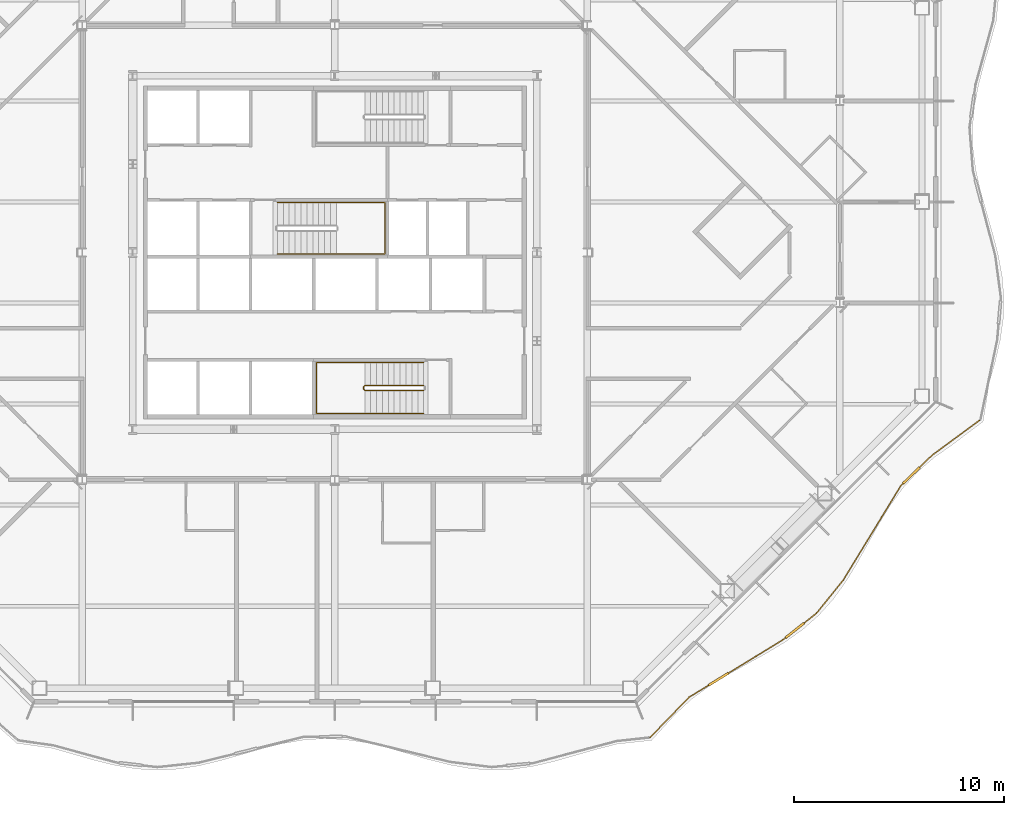
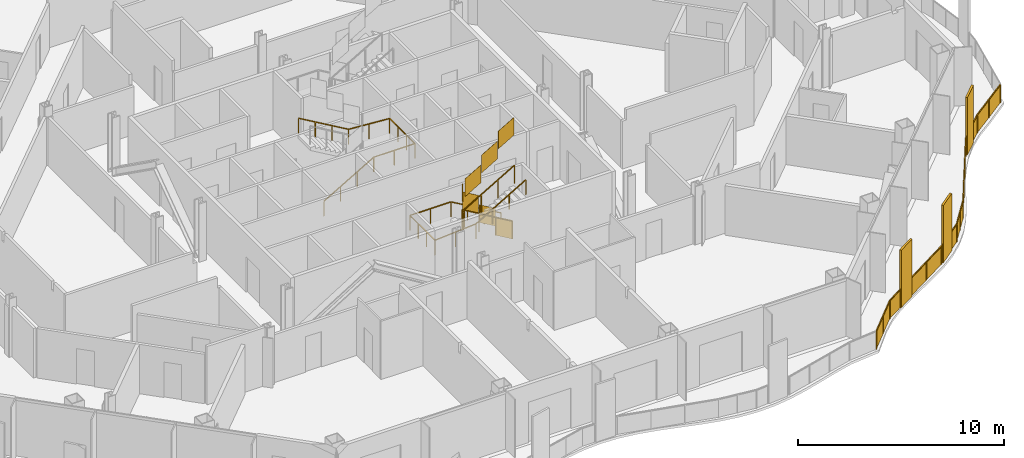
# One storey, part 17 of 21: 4 railings.
"""IFC4 building model written with IfcOpenShell, lengths in metres."""

from ifc_helpers import new_model, si_unit, direction, frame, origin, origin_2d, place, context, subcontext, project, spatial, polyline, rectangle, outline, extrude, material, type_object, element, save


model = new_model("IFC4")

# Units and contexts
model_context = context("Model", 3, precision=1e-05, world=origin(), true_north=direction((0.0, 1.0)))
body_context = subcontext(model_context, "Body", "Model", "MODEL_VIEW")
ifc_project = project(units=[si_unit("LENGTHUNIT", "METRE"), si_unit("AREAUNIT", "SQUARE_METRE"), si_unit("VOLUMEUNIT", "CUBIC_METRE"), si_unit("PLANEANGLEUNIT", "RADIAN"), si_unit("MASSUNIT", "GRAM", prefix="KILO")], contexts=[model_context])

# Site, building, storey
site_placement = place(None, origin())
site = spatial("IfcSite", under=ifc_project, at=site_placement, CompositionType="ELEMENT")
building_placement = place(site_placement, origin())
building = spatial("IfcBuilding", under=site, at=building_placement, Name="Cairn Pilgrim Tower", CompositionType="ELEMENT")
storey_placement = place(building_placement, frame((0.0, 0.0, 129.0)))
storey = spatial("IfcBuildingStorey", under=building, at=storey_placement, Name="L31", CompositionType="ELEMENT", Elevation=129.0)

# Railings
ifc_material_1 = material(Name="Bronze anodised aluminium rail, posts and fin screens with laminated glass infill", Category="aluminium")
railing_type_1 = type_object("IfcRailingType", Name="BALCONY GUARD WITH FIN SCREENS", PredefinedType="GUARDRAIL", material=ifc_material_1)
railing_1_placement = place(storey_placement, frame((22.18505859375, -20.638427734375, 0.0)))
element("IfcRailing", 1, at=railing_1_placement, inside=storey, type_object=railing_type_1, Name="Balcony guard BGF-2 with fin screens", PredefinedType="GUARDRAIL", context=body_context, shape_type="SweptSolid", body=[
    extrude(rectangle(XDim=0.050048828125, YDim=0.050048828125, at=origin_2d()), frame((0.0, 0.0, 1.0751953125), z_axis=(0.696086992853, 0.717957448866, 0.0), x_axis=(-0.717957448866, 0.696086992853, 0.0)), (0.0, 0.0, 1.0), 2.65673828125),
    extrude(rectangle(XDim=1.10009765625, YDim=0.110107421875, at=origin_2d()), frame((3.24853515625, 2.763916015625, 0.0), z_axis=(0.0, 0.0, 1.0), x_axis=(0.85289739895, 0.522078563881, 0.0)), (0.0, 0.0, 1.0), 3.39990234375),
    extrude(rectangle(XDim=0.050048828125, YDim=0.050048828125, at=origin_2d()), frame((1.849365234375, 1.907470703125, 1.0751953125), z_axis=(0.85289739895, 0.522078563881, 0.0), x_axis=(-0.522078563881, 0.85289739895, 0.0)), (0.0, 0.0, 1.0), 1.090576171875),
    extrude(rectangle(XDim=0.050048828125, YDim=0.050048828125, at=origin_2d()), frame((3.7177734375, 3.051025390625, 1.0751953125), z_axis=(0.85289739895, 0.522078563881, 0.0), x_axis=(-0.522078563881, 0.85289739895, 0.0)), (0.0, 0.0, 1.0), 3.0556640625),
    extrude(rectangle(XDim=1.10009765625, YDim=0.110107421875, at=origin_2d()), frame((6.87255859375, 5.08154296875, 0.0), z_axis=(0.0, 0.0, 1.0), x_axis=(0.78349767909, 0.621394711002, 0.0)), (0.0, 0.0, 1.0), 3.39990234375),
    extrude(rectangle(XDim=0.050048828125, YDim=0.050048828125, at=origin_2d()), frame((6.323974609375, 4.646484375, 1.0751953125), z_axis=(0.78349767909, 0.621394711002, 0.0), x_axis=(-0.621394711002, 0.78349767909, 0.0)), (0.0, 0.0, 1.0), 0.150146484375),
    extrude(rectangle(XDim=0.050048828125, YDim=0.050048828125, at=origin_2d()), frame((7.303466796875, 5.42333984375, 1.0751953125), z_axis=(0.78349767909, 0.621394711002, 0.0), x_axis=(-0.621394711002, 0.78349767909, 0.0)), (0.0, 0.0, 1.0), 0.774169921875),
    extrude(rectangle(XDim=0.050048828125, YDim=0.050048828125, at=origin_2d()), frame((7.909912109375, 5.904296875, 1.0751953125), z_axis=(0.627195269755, 0.778862050428, 0.0), x_axis=(-0.778862050428, 0.627195269755, 0.0)), (0.0, 0.0, 1.0), 2.021728515625),
    extrude(rectangle(XDim=0.050048828125, YDim=0.050048828125, at=origin_2d()), frame((9.177978515625, 7.47900390625, 1.0751953125), z_axis=(0.520783616855, 0.853688716345, 0.0), x_axis=(-0.853688716345, 0.520783616855, 0.0)), (0.0, 0.0, 1.0), 5.247314453125),
    extrude(rectangle(XDim=1.10009765625, YDim=0.110107421875, at=origin_2d()), frame((12.411865234375, 12.447509765625, 0.0), z_axis=(0.0, 0.0, 1.0), x_axis=(0.715797796367, 0.698307607517, 0.0)), (0.0, 0.0, 1.0), 3.39990234375),
    extrude(rectangle(XDim=0.050048828125, YDim=0.050048828125, at=origin_2d()), frame((11.91064453125, 11.95849609375, 1.0751953125), z_axis=(0.715797796367, 0.698307607517, 0.0), x_axis=(-0.698307607517, 0.715797796367, 0.0)), (0.0, 0.0, 1.0), 0.150146484375),
    extrude(rectangle(XDim=0.050048828125, YDim=0.050048828125, at=origin_2d()), frame((12.805419921875, 12.83154296875, 1.0751953125), z_axis=(0.715797796367, 0.698307607517, 0.0), x_axis=(-0.698307607517, 0.715797796367, 0.0)), (0.0, 0.0, 1.0), 0.815673828125),
    extrude(rectangle(XDim=0.050048828125, YDim=0.050048828125, at=origin_2d()), frame((13.389404296875, 13.401123046875, 1.0751953125), z_axis=(0.805314870367, 0.592847332427, 0.0), x_axis=(-0.592847332427, 0.805314870367, 0.0)), (0.0, 0.0, 1.0), 2.79443359375),
    extrude(rectangle(XDim=0.050048828125, YDim=0.050048828125, at=origin_2d()), origin(), (0.0, 0.0, 1.0), 1.050048828125),
    extrude(rectangle(XDim=0.050048828125, YDim=0.050048828125, at=origin_2d()), frame((0.9248046875, 0.95361328125, 0.0)), (0.0, 0.0, 1.0), 1.050048828125),
    extrude(rectangle(XDim=0.050048828125, YDim=0.050048828125, at=origin_2d()), frame((1.849365234375, 1.907470703125, 0.0)), (0.0, 0.0, 1.0), 1.050048828125),
    extrude(rectangle(XDim=0.050048828125, YDim=0.050048828125, at=origin_2d()), frame((2.75830078125, 2.4638671875, 0.0)), (0.0, 0.0, 1.0), 1.050048828125),
    extrude(rectangle(XDim=0.050048828125, YDim=0.050048828125, at=origin_2d()), frame((3.739013671875, 3.064208984375, 0.0)), (0.0, 0.0, 1.0), 1.050048828125),
    extrude(rectangle(XDim=0.050048828125, YDim=0.050048828125, at=origin_2d()), frame((5.031494140625, 3.855224609375, 0.0)), (0.0, 0.0, 1.0), 1.050048828125),
    extrude(rectangle(XDim=0.050048828125, YDim=0.050048828125, at=origin_2d()), frame((6.323974609375, 4.646484375, 0.0)), (0.0, 0.0, 1.0), 1.050048828125),
    extrude(rectangle(XDim=0.050048828125, YDim=0.050048828125, at=origin_2d()), frame((6.421875, 4.72412109375, 0.0)), (0.0, 0.0, 1.0), 1.050048828125),
    extrude(rectangle(XDim=0.050048828125, YDim=0.050048828125, at=origin_2d()), frame((7.322998046875, 5.438720703125, 0.0)), (0.0, 0.0, 1.0), 1.050048828125),
    extrude(rectangle(XDim=0.050048828125, YDim=0.050048828125, at=origin_2d()), frame((7.909912109375, 5.904296875, 0.0)), (0.0, 0.0, 1.0), 1.050048828125),
    extrude(rectangle(XDim=0.050048828125, YDim=0.050048828125, at=origin_2d()), frame((8.5439453125, 6.691650390625, 0.0)), (0.0, 0.0, 1.0), 1.050048828125),
    extrude(rectangle(XDim=0.050048828125, YDim=0.050048828125, at=origin_2d()), frame((9.177978515625, 7.47900390625, 0.0)), (0.0, 0.0, 1.0), 1.050048828125),
    extrude(rectangle(XDim=0.050048828125, YDim=0.050048828125, at=origin_2d()), frame((10.0888671875, 8.97216796875, 0.0)), (0.0, 0.0, 1.0), 1.050048828125),
    extrude(rectangle(XDim=0.050048828125, YDim=0.050048828125, at=origin_2d()), frame((10.999755859375, 10.46533203125, 0.0)), (0.0, 0.0, 1.0), 1.050048828125),
    extrude(rectangle(XDim=0.050048828125, YDim=0.050048828125, at=origin_2d()), frame((11.91064453125, 11.95849609375, 0.0)), (0.0, 0.0, 1.0), 1.050048828125),
    extrude(rectangle(XDim=0.050048828125, YDim=0.050048828125, at=origin_2d()), frame((12.000244140625, 12.0458984375, 0.0)), (0.0, 0.0, 1.0), 1.050048828125),
    extrude(rectangle(XDim=0.050048828125, YDim=0.050048828125, at=origin_2d()), frame((12.823486328125, 12.848876953125, 0.0)), (0.0, 0.0, 1.0), 1.050048828125),
    extrude(rectangle(XDim=0.050048828125, YDim=0.050048828125, at=origin_2d()), frame((13.389404296875, 13.401123046875, 0.0)), (0.0, 0.0, 1.0), 1.050048828125),
    extrude(rectangle(XDim=0.050048828125, YDim=0.050048828125, at=origin_2d()), frame((14.5146484375, 14.2294921875, 0.0)), (0.0, 0.0, 1.0), 1.050048828125),
    extrude(rectangle(XDim=0.050048828125, YDim=0.050048828125, at=origin_2d()), frame((15.639892578125, 15.057861328125, 0.0)), (0.0, 0.0, 1.0), 1.050048828125),
    extrude(outline(polyline([(0.02490234375, 0.0), (1.303466796875, 0.0), (1.303466796875, 1.050048828125), (0.02490234375, 1.050048828125), (0.02490234375, 0.0)])), frame((-0.00439453125, 0.004150390625, 0.0), z_axis=(0.717957448866, -0.696086992853, 0.0), x_axis=(0.696086992853, 0.717957448866, 0.0)), (0.0, 0.0, 1.0), 0.011962890625),
    extrude(outline(polyline([(0.02490234375, 0.0), (1.303466796875, 0.0), (1.303466796875, 1.050048828125), (0.02490234375, 1.050048828125), (0.02490234375, 0.0)])), frame((0.92041015625, 0.9580078125, 0.0), z_axis=(0.717957448866, -0.696086992853, 0.0), x_axis=(0.696086992853, 0.717957448866, 0.0)), (0.0, 0.0, 1.0), 0.011962890625),
    extrude(outline(polyline([(0.02490234375, 0.0), (1.04052734375, 0.0), (1.04052734375, 1.050048828125), (0.02490234375, 1.050048828125), (0.02490234375, 0.0)])), frame((1.84619140625, 1.91259765625, 0.0), z_axis=(0.522078563881, -0.85289739895, 0.0), x_axis=(0.85289739895, 0.522078563881, 0.0)), (0.0, 0.0, 1.0), 0.011962890625),
    extrude(outline(polyline([(0.02490234375, 0.0), (1.490234375, 0.0), (1.490234375, 1.050048828125), (0.02490234375, 1.050048828125), (0.02490234375, 0.0)])), frame((3.73583984375, 3.0693359375, 0.0), z_axis=(0.522078563881, -0.85289739895, 0.0), x_axis=(0.85289739895, 0.522078563881, 0.0)), (0.0, 0.0, 1.0), 0.011962890625),
    extrude(outline(polyline([(0.02490234375, 0.0), (1.490234375, 0.0), (1.490234375, 1.050048828125), (0.02490234375, 1.050048828125), (0.02490234375, 0.0)])), frame((5.0283203125, 3.8603515625, 0.0), z_axis=(0.522078563881, -0.85289739895, 0.0), x_axis=(0.85289739895, 0.522078563881, 0.0)), (0.0, 0.0, 1.0), 0.011962890625),
    extrude(outline(polyline([(0.02490234375, 0.0), (0.10009765625, 0.0), (0.10009765625, 1.050048828125), (0.02490234375, 1.050048828125), (0.02490234375, 0.0)])), frame((6.3203125, 4.651123046875, 0.0), z_axis=(0.621394711002, -0.78349767909, 0.0), x_axis=(0.78349767909, 0.621394711002, 0.0)), (0.0, 0.0, 1.0), 0.011962890625),
    extrude(outline(polyline([(0.02490234375, 0.0), (0.72412109375, 0.0), (0.72412109375, 1.050048828125), (0.02490234375, 1.050048828125), (0.02490234375, 0.0)])), frame((7.3193359375, 5.443603515625, 0.0), z_axis=(0.621394711002, -0.78349767909, 0.0), x_axis=(0.78349767909, 0.621394711002, 0.0)), (0.0, 0.0, 1.0), 0.011962890625),
    extrude(outline(polyline([(0.02490234375, 0.0), (0.98583984375, 0.0), (0.98583984375, 1.050048828125), (0.02490234375, 1.050048828125), (0.02490234375, 0.0)])), frame((7.9052734375, 5.907958984375, 0.0), z_axis=(0.778862050428, -0.627195269755, 0.0), x_axis=(0.627195269755, 0.778862050428, 0.0)), (0.0, 0.0, 1.0), 0.011962890625),
    extrude(outline(polyline([(0.02490234375, 0.0), (0.98583984375, 0.0), (0.98583984375, 1.050048828125), (0.02490234375, 1.050048828125), (0.02490234375, 0.0)])), frame((8.539306640625, 6.6953125, 0.0), z_axis=(0.778862050428, -0.627195269755, 0.0), x_axis=(0.627195269755, 0.778862050428, 0.0)), (0.0, 0.0, 1.0), 0.011962890625),
    extrude(outline(polyline([(0.02490234375, 0.0), (1.72412109375, 0.0), (1.72412109375, 1.050048828125), (0.02490234375, 1.050048828125), (0.02490234375, 0.0)])), frame((9.1728515625, 7.482177734375, 0.0), z_axis=(0.853688716345, -0.520783616855, 0.0), x_axis=(0.520783616855, 0.853688716345, 0.0)), (0.0, 0.0, 1.0), 0.011962890625),
    extrude(outline(polyline([(0.02490234375, 0.0), (1.72412109375, 0.0), (1.72412109375, 1.050048828125), (0.02490234375, 1.050048828125), (0.02490234375, 0.0)])), frame((10.083740234375, 8.975341796875, 0.0), z_axis=(0.853688716345, -0.520783616855, 0.0), x_axis=(0.520783616855, 0.853688716345, 0.0)), (0.0, 0.0, 1.0), 0.011962890625),
    extrude(outline(polyline([(0.02490234375, 0.0), (1.72412109375, 0.0), (1.72412109375, 1.050048828125), (0.02490234375, 1.050048828125), (0.02490234375, 0.0)])), frame((10.99462890625, 10.468505859375, 0.0), z_axis=(0.853688716345, -0.520783616855, 0.0), x_axis=(0.520783616855, 0.853688716345, 0.0)), (0.0, 0.0, 1.0), 0.011962890625),
    extrude(outline(polyline([(0.02490234375, 0.0), (0.10009765625, 0.0), (0.10009765625, 1.050048828125), (0.02490234375, 1.050048828125), (0.02490234375, 0.0)])), frame((11.906494140625, 11.962890625, 0.0), z_axis=(0.698307607517, -0.715797796367, 0.0), x_axis=(0.715797796367, 0.698307607517, 0.0)), (0.0, 0.0, 1.0), 0.011962890625),
    extrude(outline(polyline([(0.02490234375, 0.0), (0.765625, 0.0), (0.765625, 1.050048828125), (0.02490234375, 1.050048828125), (0.02490234375, 0.0)])), frame((12.8193359375, 12.853271484375, 0.0), z_axis=(0.698307607517, -0.715797796367, 0.0), x_axis=(0.715797796367, 0.698307607517, 0.0)), (0.0, 0.0, 1.0), 0.011962890625),
    extrude(outline(polyline([(0.02490234375, 0.0), (1.372314453125, 0.0), (1.372314453125, 1.050048828125), (0.02490234375, 1.050048828125), (0.02490234375, 0.0)])), frame((13.3857421875, 13.406005859375, 0.0), z_axis=(0.592847332427, -0.805314870367, 0.0), x_axis=(0.805314870367, 0.592847332427, 0.0)), (0.0, 0.0, 1.0), 0.011962890625),
    extrude(outline(polyline([(0.02490234375, 0.0), (1.372314453125, 0.0), (1.372314453125, 1.050048828125), (0.02490234375, 1.050048828125), (0.02490234375, 0.0)])), frame((14.510986328125, 14.234375, 0.0), z_axis=(0.592847332427, -0.805314870367, 0.0), x_axis=(0.805314870367, 0.592847332427, 0.0)), (0.0, 0.0, 1.0), 0.011962890625),
])
ifc_material_2 = material(Name="Painted steel", Category="steel")
railing_type_2 = type_object("IfcRailingType", Name="STAIR GUARD 1100", PredefinedType="GUARDRAIL", material=ifc_material_2)
railing_2_placement = place(storey_placement, frame((11.425048828125, -3.925048828125, 0.16357421875)))
element("IfcRailing", 2, at=railing_2_placement, inside=storey, type_object=railing_type_2, Name="L31 ST-A stair guard 1", PredefinedType="GUARDRAIL", context=body_context, shape_type="SweptSolid", body=[
    extrude(rectangle(XDim=0.048095703125, YDim=0.048095703125, at=origin_2d()), frame((0.0, 0.0, 1.076171875), z_axis=(-0.863360870873, 0.0, 0.504586966384), x_axis=(0.0, -1.0, 0.0)), (0.0, 0.0, 1.0), 3.2431640625),
    extrude(rectangle(XDim=0.048095703125, YDim=0.048095703125, at=origin_2d()), frame((-2.800048828125, 0.0, 2.71240234375), z_axis=(-0.707106781187, -0.707106781187, 0.0), x_axis=(0.707106781187, -0.707106781187, 0.0)), (0.0, 0.0, 1.0), 0.07080078125),
    extrude(rectangle(XDim=0.048095703125, YDim=0.048095703125, at=origin_2d()), frame((-2.85009765625, -0.050048828125, 2.71240234375), z_axis=(0.0, -1.0, 0.0), x_axis=(1.0, 0.0, 0.0)), (0.0, 0.0, 1.0), 0.125),
    extrude(rectangle(XDim=0.048095703125, YDim=0.048095703125, at=origin_2d()), frame((-2.85009765625, -0.175048828125, 2.71240234375), z_axis=(0.280916556609, -0.279546231943, 0.91811752648), x_axis=(0.705375805398, 0.708833529934, 0.0)), (0.0, 0.0, 1.0), 0.17822265625),
    extrude(rectangle(XDim=0.048095703125, YDim=0.048095703125, at=origin_2d()), frame((-2.800048828125, -0.224853515625, 2.8759765625), z_axis=(0.863360870873, 0.0, 0.504586966384), x_axis=(0.0, 1.0, 0.0)), (0.0, 0.0, 1.0), 3.2431640625),
    extrude(rectangle(XDim=0.0419921875, YDim=0.0419921875, at=origin_2d()), origin(), (0.0, 0.0, 1.0), 1.052001953125),
    extrude(rectangle(XDim=0.0419921875, YDim=0.0419921875, at=origin_2d()), frame((-0.933349609375, 0.0, 0.54541015625)), (0.0, 0.0, 1.0), 1.052001953125),
    extrude(rectangle(XDim=0.0419921875, YDim=0.0419921875, at=origin_2d()), frame((-1.86669921875, 0.0, 1.091064453125)), (0.0, 0.0, 1.0), 1.052001953125),
    extrude(rectangle(XDim=0.0419921875, YDim=0.0419921875, at=origin_2d()), frame((-2.800048828125, 0.0, 1.636474609375)), (0.0, 0.0, 1.0), 1.052001953125),
    extrude(rectangle(XDim=0.0419921875, YDim=0.0419921875, at=origin_2d()), frame((-2.85009765625, -0.050048828125, 1.636474609375)), (0.0, 0.0, 1.0), 1.052001953125),
    extrude(rectangle(XDim=0.0419921875, YDim=0.0419921875, at=origin_2d()), frame((-2.85009765625, -0.175048828125, 1.636474609375)), (0.0, 0.0, 1.0), 1.052001953125),
    extrude(rectangle(XDim=0.0419921875, YDim=0.0419921875, at=origin_2d()), frame((-2.800048828125, -0.224853515625, 1.800048828125)), (0.0, 0.0, 1.0), 1.052001953125),
    extrude(rectangle(XDim=0.0419921875, YDim=0.0419921875, at=origin_2d()), frame((-1.86669921875, -0.224853515625, 2.345458984375)), (0.0, 0.0, 1.0), 1.052001953125),
    extrude(rectangle(XDim=0.0419921875, YDim=0.0419921875, at=origin_2d()), frame((-0.933349609375, -0.224853515625, 2.89111328125)), (0.0, 0.0, 1.0), 1.052001953125),
    extrude(rectangle(XDim=0.0419921875, YDim=0.0419921875, at=origin_2d()), frame((0.0, -0.224853515625, 3.4365234375)), (0.0, 0.0, 1.0), 1.052001953125),
    extrude(outline(polyline([(0.02099609375, 0.01220703125), (0.912353515625, 0.533203125), (0.912353515625, 1.585205078125), (0.02099609375, 1.064208984375), (0.02099609375, 0.01220703125)])), frame((0.0, -0.005859375, 0.0), z_axis=(0.0, 1.0, 0.0), x_axis=(-1.0, 0.0, 0.0)), (0.0, 0.0, 1.0), 0.011962890625),
    extrude(outline(polyline([(0.02099609375, 0.557861328125), (0.912353515625, 1.07861328125), (0.912353515625, 2.130615234375), (0.02099609375, 1.60986328125), (0.02099609375, 0.557861328125)])), frame((-0.933349609375, -0.005859375, 0.54541015625), z_axis=(0.0, 1.0, 0.0), x_axis=(-1.0, 0.0, 0.0)), (0.0, 0.0, 1.0), 0.011962890625),
    extrude(outline(polyline([(0.02099609375, 1.103271484375), (0.912353515625, 1.624267578125), (0.912353515625, 2.67626953125), (0.02099609375, 2.1552734375), (0.02099609375, 1.103271484375)])), frame((-1.86669921875, -0.005859375, 1.091064453125), z_axis=(0.0, 1.0, 0.0), x_axis=(-1.0, 0.0, 0.0)), (0.0, 0.0, 1.0), 0.011962890625),
    extrude(outline(polyline([(0.02099609375, 1.636474609375), (0.10400390625, 1.636474609375), (0.10400390625, 2.6884765625), (0.02099609375, 2.6884765625), (0.02099609375, 1.636474609375)])), frame((-2.84423828125, -0.050048828125, 1.636474609375), z_axis=(-1.0, 0.0, 0.0), x_axis=(0.0, -1.0, 0.0)), (0.0, 0.0, 1.0), 0.011962890625),
    extrude(outline(polyline([(0.02099609375, 1.812255859375), (0.912353515625, 2.333251953125), (0.912353515625, 3.38525390625), (0.02099609375, 2.8642578125), (0.02099609375, 1.812255859375)])), frame((-2.800048828125, -0.21875, 1.800048828125), z_axis=(0.0, -1.0, 0.0), x_axis=(1.0, 0.0, 0.0)), (0.0, 0.0, 1.0), 0.011962890625),
    extrude(outline(polyline([(0.02099609375, 2.35791015625), (0.912353515625, 2.878662109375), (0.912353515625, 3.9306640625), (0.02099609375, 3.409912109375), (0.02099609375, 2.35791015625)])), frame((-1.86669921875, -0.21875, 2.345458984375), z_axis=(0.0, -1.0, 0.0), x_axis=(1.0, 0.0, 0.0)), (0.0, 0.0, 1.0), 0.011962890625),
    extrude(outline(polyline([(0.02099609375, 2.9033203125), (0.912353515625, 3.42431640625), (0.912353515625, 4.476318359375), (0.02099609375, 3.955322265625), (0.02099609375, 2.9033203125)])), frame((-0.933349609375, -0.21875, 2.89111328125), z_axis=(0.0, -1.0, 0.0), x_axis=(1.0, 0.0, 0.0)), (0.0, 0.0, 1.0), 0.011962890625),
])
railing_type_3 = type_object("IfcRailingType", Name="STAIR HANDRAIL 900", PredefinedType="HANDRAIL", material=ifc_material_2)
railing_3_placement = place(storey_placement, frame((11.425048828125, -2.824951171875, 0.16357421875)))
element("IfcRailing", 3, at=railing_3_placement, inside=storey, type_object=railing_type_3, Name="L31 ST-A stair handrail 1", PredefinedType="HANDRAIL", context=body_context, shape_type="SweptSolid", body=[
    extrude(rectangle(XDim=0.048095703125, YDim=0.048095703125, at=origin_2d()), frame((0.0, 0.0, 0.8759765625), z_axis=(-0.863360870873, 0.0, 0.504586966384), x_axis=(0.0, -1.0, 0.0)), (0.0, 0.0, 1.0), 3.2431640625),
    extrude(rectangle(XDim=0.048095703125, YDim=0.048095703125, at=origin_2d()), frame((-2.800048828125, 0.0, 2.51220703125), z_axis=(-1.0, 0.0, 0.0), x_axis=(0.0, -1.0, 0.0)), (0.0, 0.0, 1.0), 2.300048828125),
    extrude(rectangle(XDim=0.048095703125, YDim=0.048095703125, at=origin_2d()), frame((-5.10009765625, 0.0, 2.51220703125), z_axis=(0.0, -1.0, 0.0), x_axis=(1.0, 0.0, 0.0)), (0.0, 0.0, 1.0), 2.425048828125),
    extrude(rectangle(XDim=0.048095703125, YDim=0.048095703125, at=origin_2d()), frame((-5.10009765625, -2.425048828125, 2.51220703125), z_axis=(0.997480687736, 0.0, 0.070938548008), x_axis=(0.0, 1.0, 0.0)), (0.0, 0.0, 1.0), 2.305908203125),
    extrude(rectangle(XDim=0.048095703125, YDim=0.048095703125, at=origin_2d()), frame((-2.800048828125, -2.425048828125, 2.67578125), z_axis=(0.863360870873, 0.0, 0.504586966384), x_axis=(0.0, 1.0, 0.0)), (0.0, 0.0, 1.0), 3.2431640625),
    extrude(rectangle(XDim=0.0419921875, YDim=0.0419921875, at=origin_2d()), origin(), (0.0, 0.0, 1.0), 0.851806640625),
    extrude(rectangle(XDim=0.0419921875, YDim=0.0419921875, at=origin_2d()), frame((-0.933349609375, 0.0, 0.54541015625)), (0.0, 0.0, 1.0), 0.851806640625),
    extrude(rectangle(XDim=0.0419921875, YDim=0.0419921875, at=origin_2d()), frame((-1.86669921875, 0.0, 1.091064453125)), (0.0, 0.0, 1.0), 0.851806640625),
    extrude(rectangle(XDim=0.0419921875, YDim=0.0419921875, at=origin_2d()), frame((-2.800048828125, 0.0, 1.636474609375)), (0.0, 0.0, 1.0), 0.851806640625),
    extrude(rectangle(XDim=0.0419921875, YDim=0.0419921875, at=origin_2d()), frame((-3.9501953125, 0.0, 1.636474609375)), (0.0, 0.0, 1.0), 0.851806640625),
    extrude(rectangle(XDim=0.0419921875, YDim=0.0419921875, at=origin_2d()), frame((-5.10009765625, 0.0, 1.636474609375)), (0.0, 0.0, 1.0), 0.851806640625),
    extrude(rectangle(XDim=0.0419921875, YDim=0.0419921875, at=origin_2d()), frame((-5.10009765625, -0.808349609375, 1.636474609375)), (0.0, 0.0, 1.0), 0.851806640625),
    extrude(rectangle(XDim=0.0419921875, YDim=0.0419921875, at=origin_2d()), frame((-5.10009765625, -1.61669921875, 1.636474609375)), (0.0, 0.0, 1.0), 0.851806640625),
    extrude(rectangle(XDim=0.0419921875, YDim=0.0419921875, at=origin_2d()), frame((-5.10009765625, -2.425048828125, 1.636474609375)), (0.0, 0.0, 1.0), 0.851806640625),
    extrude(rectangle(XDim=0.0419921875, YDim=0.0419921875, at=origin_2d()), frame((-3.9501953125, -2.425048828125, 1.71826171875)), (0.0, 0.0, 1.0), 0.851806640625),
    extrude(rectangle(XDim=0.0419921875, YDim=0.0419921875, at=origin_2d()), frame((-2.800048828125, -2.425048828125, 1.800048828125)), (0.0, 0.0, 1.0), 0.851806640625),
    extrude(rectangle(XDim=0.0419921875, YDim=0.0419921875, at=origin_2d()), frame((-1.86669921875, -2.425048828125, 2.345458984375)), (0.0, 0.0, 1.0), 0.851806640625),
    extrude(rectangle(XDim=0.0419921875, YDim=0.0419921875, at=origin_2d()), frame((-0.933349609375, -2.425048828125, 2.89111328125)), (0.0, 0.0, 1.0), 0.851806640625),
    extrude(rectangle(XDim=0.0419921875, YDim=0.0419921875, at=origin_2d()), frame((0.0, -2.425048828125, 3.4365234375)), (0.0, 0.0, 1.0), 0.851806640625),
])
railing_4_placement = place(storey_placement, frame((4.47509765625, 2.324951171875, 0.16357421875)))
element("IfcRailing", 4, at=railing_4_placement, inside=storey, type_object=railing_type_3, Name="L31 ST-B stair handrail 1", PredefinedType="HANDRAIL", context=body_context, shape_type="SweptSolid", body=[
    extrude(rectangle(XDim=0.048095703125, YDim=0.048095703125, at=origin_2d()), frame((0.0, 0.0, 0.8759765625), z_axis=(0.863341702679, 0.0, 0.504619762213), x_axis=(0.0, 1.0, 0.0)), (0.0, 0.0, 1.0), 3.242919921875),
    extrude(rectangle(XDim=0.048095703125, YDim=0.048095703125, at=origin_2d()), frame((2.7998046875, 0.0, 2.51220703125), z_axis=(1.0, 0.0, 0.0), x_axis=(0.0, 1.0, 0.0)), (0.0, 0.0, 1.0), 2.300048828125),
    extrude(rectangle(XDim=0.048095703125, YDim=0.048095703125, at=origin_2d()), frame((5.099853515625, 0.0, 2.51220703125), z_axis=(0.0, 1.0, 0.0), x_axis=(-1.0, 0.0, 0.0)), (0.0, 0.0, 1.0), 2.449951171875),
    extrude(rectangle(XDim=0.048095703125, YDim=0.048095703125, at=origin_2d()), frame((5.099853515625, 2.449951171875, 2.51220703125), z_axis=(-0.997480687736, 0.0, 0.070938548008), x_axis=(0.0, -1.0, 0.0)), (0.0, 0.0, 1.0), 2.305908203125),
    extrude(rectangle(XDim=0.048095703125, YDim=0.048095703125, at=origin_2d()), frame((2.7998046875, 2.449951171875, 2.67578125), z_axis=(-0.863341702679, 0.0, 0.504619762213), x_axis=(0.0, -1.0, 0.0)), (0.0, 0.0, 1.0), 3.242919921875),
    extrude(rectangle(XDim=0.0419921875, YDim=0.0419921875, at=origin_2d()), origin(), (0.0, 0.0, 1.0), 0.851806640625),
    extrude(rectangle(XDim=0.0419921875, YDim=0.0419921875, at=origin_2d()), frame((0.933349609375, 0.0, 0.54541015625)), (0.0, 0.0, 1.0), 0.851806640625),
    extrude(rectangle(XDim=0.0419921875, YDim=0.0419921875, at=origin_2d()), frame((1.866455078125, 0.0, 1.091064453125)), (0.0, 0.0, 1.0), 0.851806640625),
    extrude(rectangle(XDim=0.0419921875, YDim=0.0419921875, at=origin_2d()), frame((2.7998046875, 0.0, 1.636474609375)), (0.0, 0.0, 1.0), 0.851806640625),
    extrude(rectangle(XDim=0.0419921875, YDim=0.0419921875, at=origin_2d()), frame((3.94970703125, 0.0, 1.636474609375)), (0.0, 0.0, 1.0), 0.851806640625),
    extrude(rectangle(XDim=0.0419921875, YDim=0.0419921875, at=origin_2d()), frame((5.099853515625, 0.0, 1.636474609375)), (0.0, 0.0, 1.0), 0.851806640625),
    extrude(rectangle(XDim=0.0419921875, YDim=0.0419921875, at=origin_2d()), frame((5.099853515625, 0.816650390625, 1.636474609375)), (0.0, 0.0, 1.0), 0.851806640625),
    extrude(rectangle(XDim=0.0419921875, YDim=0.0419921875, at=origin_2d()), frame((5.099853515625, 1.63330078125, 1.636474609375)), (0.0, 0.0, 1.0), 0.851806640625),
    extrude(rectangle(XDim=0.0419921875, YDim=0.0419921875, at=origin_2d()), frame((5.099853515625, 2.449951171875, 1.636474609375)), (0.0, 0.0, 1.0), 0.851806640625),
    extrude(rectangle(XDim=0.0419921875, YDim=0.0419921875, at=origin_2d()), frame((3.94970703125, 2.449951171875, 1.71826171875)), (0.0, 0.0, 1.0), 0.851806640625),
    extrude(rectangle(XDim=0.0419921875, YDim=0.0419921875, at=origin_2d()), frame((2.7998046875, 2.449951171875, 1.800048828125)), (0.0, 0.0, 1.0), 0.851806640625),
    extrude(rectangle(XDim=0.0419921875, YDim=0.0419921875, at=origin_2d()), frame((1.866455078125, 2.449951171875, 2.345458984375)), (0.0, 0.0, 1.0), 0.851806640625),
    extrude(rectangle(XDim=0.0419921875, YDim=0.0419921875, at=origin_2d()), frame((0.933349609375, 2.449951171875, 2.89111328125)), (0.0, 0.0, 1.0), 0.851806640625),
    extrude(rectangle(XDim=0.0419921875, YDim=0.0419921875, at=origin_2d()), frame((0.0, 2.449951171875, 3.4365234375)), (0.0, 0.0, 1.0), 0.851806640625),
])

save(model, "model.ifc")
